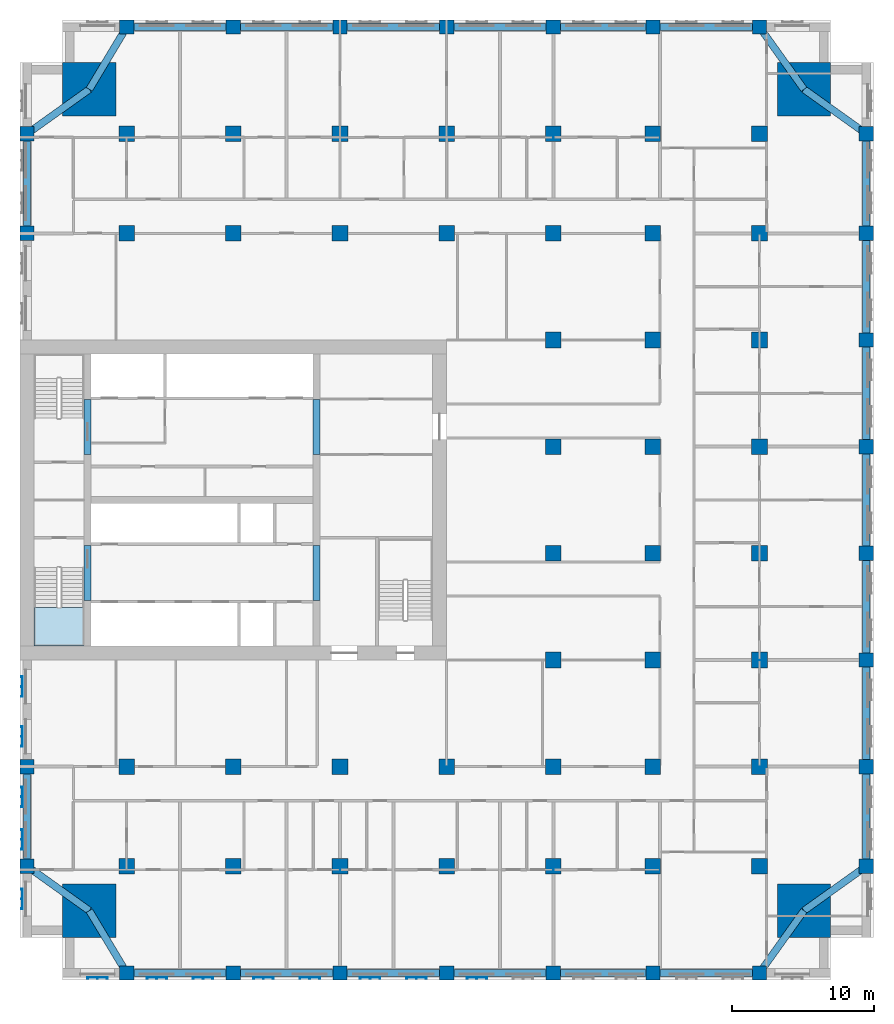
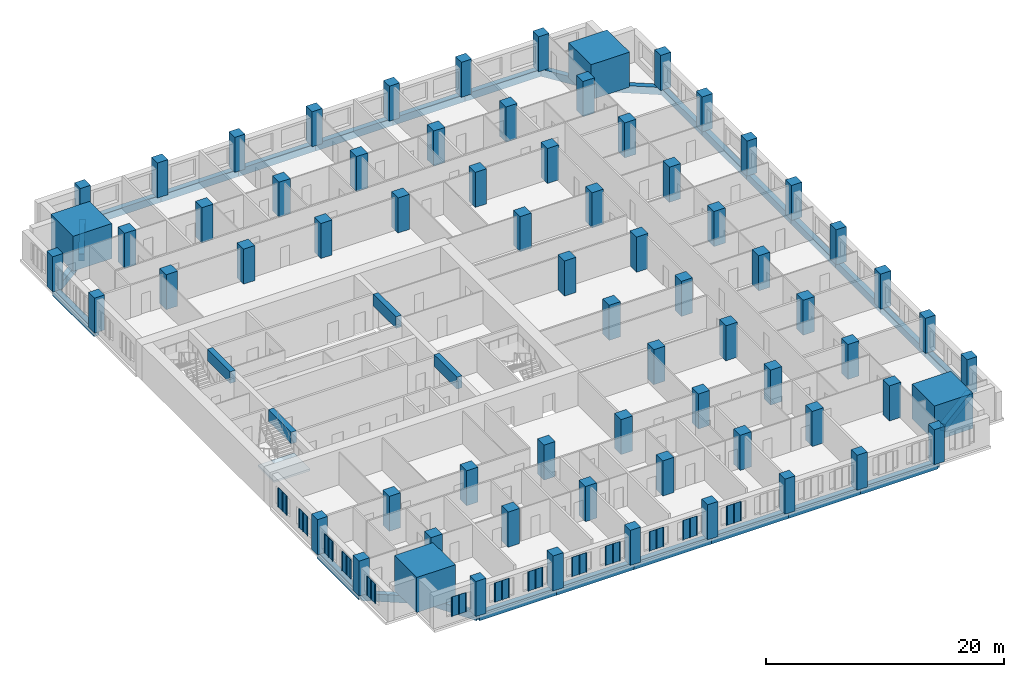
# One storey, part 1 of 14: 70 columns, 33 beams, 13 plates, 1 slab, 1 element without a shape of its own.
"""IFC4 building model written with IfcOpenShell, lengths in metres."""

import ifcopenshell
import ifcopenshell.guid

model = None  # the IFC model being written
_history = None  # IfcOwnerHistory: only IFC2X3 demands one
_inside = {}  # id of a spatial element -> (the spatial element, [elements in it])
_under = {}  # id of a project, library or spatial element -> (it, [spatial elements below it])
_declared = {}  # id of a project -> (the project, [libraries it declares])
_typed = {}  # id of a type object -> (the type object, [elements of that type])
_made_of = {}  # id of a material, layer set ... -> (it, [elements and type objects made of it])


def new_model(schema):
    """Start an empty IFC model of exactly this schema.

    Asked for "IFC4X3", IfcOpenShell would pick the latest addendum, in which some entities
    have other attributes; the version numbers below select the first issue.
    IFC2X3 requires an IfcOwnerHistory on every rooted entity: one is made here for all.
    """
    global model, _history
    if schema == "IFC4X3":
        model = ifcopenshell.file(schema_version=(4, 3, 0, 0))
    else:
        model = ifcopenshell.file(schema=schema)
    _inside.clear()
    _under.clear()
    _declared.clear()
    _typed.clear()
    _made_of.clear()
    _history = None
    if model.schema == "IFC2X3":
        org = make("IfcOrganization", Name="unknown")
        user = make(
            "IfcPersonAndOrganization",
            ThePerson=make("IfcPerson", FamilyName="unknown"),
            TheOrganization=org,
        )
        app = make(
            "IfcApplication",
            ApplicationDeveloper=org,
            Version="unknown",
            ApplicationFullName="unknown",
            ApplicationIdentifier="unknown",
        )
        _history = make(
            "IfcOwnerHistory",
            OwningUser=user,
            OwningApplication=app,
            ChangeAction="ADDED",
            CreationDate=0,
        )
    return model


def make(cls, **values):
    """One entity of the class cls with the attributes given. An attribute that is None is left unset."""
    return model.create_entity(
        cls, **{name: value for name, value in values.items() if value is not None}
    )


def rooted(cls, **values):
    """An entity with a GlobalId (a new one), such as an element, a storey or a relation."""
    return make(cls, GlobalId=ifcopenshell.guid.new(), OwnerHistory=_history, **values)


def si_unit(unit_type, name, prefix=None):
    """IfcSIUnit, for example si_unit("LENGTHUNIT", "METRE", prefix="MILLI")."""
    return make("IfcSIUnit", UnitType=unit_type, Prefix=prefix, Name=name)


def assignment(units):
    """IfcUnitAssignment: the units of a project."""
    return None if units is None else make("IfcUnitAssignment", Units=units)


def point(xyz):
    """IfcCartesianPoint."""
    return None if xyz is None else make("IfcCartesianPoint", Coordinates=xyz)


def direction(xyz):
    """IfcDirection."""
    return None if xyz is None else make("IfcDirection", DirectionRatios=xyz)


def frame(location, z_axis=None, x_axis=None):
    """IfcAxis2Placement3D, a coordinate frame: its origin and axes. An axis left out is left unset."""
    return make(
        "IfcAxis2Placement3D",
        Location=point(location),
        Axis=direction(z_axis),
        RefDirection=direction(x_axis),
    )


def frame_2d(location, x_axis=None):
    """IfcAxis2Placement2D, a coordinate frame in the plane: its origin and x axis."""
    return make(
        "IfcAxis2Placement2D", Location=point(location), RefDirection=direction(x_axis)
    )


def origin():
    """The frame at (0, 0, 0) with its axes left unset."""
    return frame((0.0, 0.0, 0.0))


def origin_2d():
    """The frame at (0, 0) in the plane with its x axis left unset."""
    return frame_2d((0.0, 0.0))


def place(relative_to, where):
    """IfcLocalPlacement: puts the frame where relative to a parent placement (None: the world)."""
    return make(
        "IfcLocalPlacement", PlacementRelTo=relative_to, RelativePlacement=where
    )


def context(
    kind, dimensions, precision=None, world=None, true_north=None, identifier=None
):
    """IfcGeometricRepresentationContext, for example the 3D "Model" context."""
    return make(
        "IfcGeometricRepresentationContext",
        ContextIdentifier=identifier,
        ContextType=kind,
        CoordinateSpaceDimension=dimensions,
        Precision=precision,
        WorldCoordinateSystem=world,
        TrueNorth=true_north,
    )


def subcontext(parent, identifier, kind, view, scale=None):
    """IfcGeometricRepresentationSubContext, for example "Body" below "Model"."""
    return make(
        "IfcGeometricRepresentationSubContext",
        ContextIdentifier=identifier,
        ContextType=kind,
        ParentContext=parent,
        TargetScale=scale,
        TargetView=view,
    )


def project(units=None, contexts=None):
    """IfcProject with its units and contexts."""
    return rooted(
        "IfcProject",
        Name="project",
        RepresentationContexts=contexts,
        UnitsInContext=assignment(units),
    )


def spatial(cls, under=None, at=None, **own):
    """A site, building, storey or space (cls), placed at a placement, below another one or the project."""
    s = rooted(cls, ObjectPlacement=at, **own)
    if under is not None:
        _under.setdefault(under.id(), (under, []))[1].append(s)
    return s


def polyline(points):
    """IfcPolyline through the points."""
    return make("IfcPolyline", Points=[point(p) for p in points])


def profile(cls, at=None, kind="AREA", **sizes):
    """A parametric profile (cls). Its sizes go by their IFC names, for example OverallWidth=200.0."""
    return make(cls, ProfileType=kind, Position=at, **sizes)


def rectangle(**sizes):
    """IfcRectangleProfileDef."""
    return profile("IfcRectangleProfileDef", **sizes)


def outline(outer, holes=None, kind="AREA"):
    """IfcArbitraryClosedProfileDef: a profile drawn as a closed curve; with holes, ...WithVoids."""
    if holes is None:
        return make("IfcArbitraryClosedProfileDef", ProfileType=kind, OuterCurve=outer)
    return make(
        "IfcArbitraryProfileDefWithVoids",
        ProfileType=kind,
        OuterCurve=outer,
        InnerCurves=holes,
    )


def extrude(swept, where, along, depth):
    """IfcExtrudedAreaSolid: the profile swept, set in the frame where, extruded along a direction by depth."""
    return make(
        "IfcExtrudedAreaSolid",
        SweptArea=swept,
        Position=where,
        ExtrudedDirection=direction(along),
        Depth=depth,
    )


def shape(context_of_items, identifier, shape_type, items):
    """IfcShapeRepresentation: the items that make up one representation, for example the "Body"."""
    return make(
        "IfcShapeRepresentation",
        ContextOfItems=context_of_items,
        RepresentationIdentifier=identifier,
        RepresentationType=shape_type,
        Items=items,
    )


def material(Name=None, Category=None):
    """IfcMaterial."""
    return make("IfcMaterial", Name=Name, Category=Category)


def layer(
    of_material, thickness, ventilated=None, Name=None, Category=None, Priority=None
):
    """IfcMaterialLayer: one layer of a wall or slab, of a material (None: an air gap)."""
    return make(
        "IfcMaterialLayer",
        Material=of_material,
        LayerThickness=thickness,
        IsVentilated=ventilated,
        Name=Name,
        Category=Category,
        Priority=Priority,
    )


def layer_set(layers, Name=None):
    """IfcMaterialLayerSet."""
    return make("IfcMaterialLayerSet", MaterialLayers=layers, LayerSetName=Name)


def material_profile(
    of_material, cross_section, Name=None, Category=None, Priority=None
):
    """IfcMaterialProfile: a cross section and its material."""
    return make(
        "IfcMaterialProfile",
        Name=Name,
        Material=of_material,
        Profile=cross_section,
        Priority=Priority,
        Category=Category,
    )


def profile_set(profiles, Name=None, composite=None):
    """IfcMaterialProfileSet."""
    return make(
        "IfcMaterialProfileSet",
        Name=Name,
        MaterialProfiles=profiles,
        CompositeProfile=composite,
    )


def made_of(thing, what):
    """Note that an element or type object is made of a material, layer set ...; save() writes the relation."""
    if what is not None:
        _made_of.setdefault(what.id(), (what, []))[1].append(thing)
    return thing


def type_object(cls, material=None, **own):
    """A type object (cls), such as IfcWallType, which elements share."""
    return made_of(rooted(cls, **own), material)


def element(
    cls,
    number,
    at=None,
    inside=None,
    cuts=None,
    type_object=None,
    material=None,
    context=None,
    identifier="Body",
    shape_type=None,
    held_by="IfcProductDefinitionShape",
    body=None,
    shapes=None,
    **own,
):
    """One element of the class cls, such as IfcWall. Its Tag is "e" and its number.

    at: its placement. inside: the storey or other place that contains it. cuts: it is an
    opening in that element (IfcRelVoidsElement). A single representation is given by context,
    identifier, shape_type and body (its items); several are given by shapes. held_by: the class
    of the entity that holds the representations. save() writes the other relations.
    """
    e = rooted(cls, Tag="e%d" % number, ObjectPlacement=at, **own)
    if body is not None:
        shapes = [shape(context, identifier, shape_type, body)]
    if shapes is not None:
        e.Representation = make(held_by, Representations=shapes)
    if inside is not None:
        _inside.setdefault(inside.id(), (inside, []))[1].append(e)
    if cuts is not None:
        rooted(
            "IfcRelVoidsElement", RelatingBuildingElement=cuts, RelatedOpeningElement=e
        )
    if type_object is not None:
        _typed.setdefault(type_object.id(), (type_object, []))[1].append(e)
    return made_of(e, material)


def aggregate(whole, parts):
    """IfcRelAggregates: a whole, such as a stair, and the parts it consists of."""
    return rooted("IfcRelAggregates", RelatingObject=whole, RelatedObjects=parts)


def save(model, path):
    """Write the relations noted so far, then the file.

    IfcRelAggregates (storeys below a building ...), IfcRelContainedInSpatialStructure (elements
    in a storey), IfcRelDefinesByType, IfcRelAssociatesMaterial and IfcRelDeclares: one each for
    every whole, place, type object, material and project.
    """
    for whole, parts in _under.values():
        aggregate(whole, parts)
    for where, things in _inside.values():
        rooted(
            "IfcRelContainedInSpatialStructure",
            RelatedElements=things,
            RelatingStructure=where,
        )
    for kind, things in _typed.values():
        rooted("IfcRelDefinesByType", RelatedObjects=things, RelatingType=kind)
    for what, things in _made_of.values():
        rooted("IfcRelAssociatesMaterial", RelatedObjects=things, RelatingMaterial=what)
    for by, libraries in _declared.values():
        rooted("IfcRelDeclares", RelatingContext=by, RelatedDefinitions=libraries)
    model.write(path)


model = new_model("IFC4")

# Units and contexts
model_context = context("Model", 3, precision=1e-05, world=origin(), true_north=direction((0.0, 1.0)))
body_context = subcontext(model_context, "Body", "Model", "MODEL_VIEW")
ifc_project = project(units=[si_unit("LENGTHUNIT", "METRE"), si_unit("AREAUNIT", "SQUARE_METRE"), si_unit("VOLUMEUNIT", "CUBIC_METRE"), si_unit("PLANEANGLEUNIT", "RADIAN"), si_unit("MASSUNIT", "GRAM", prefix="KILO")], contexts=[model_context])

# Site, building, storey
site_placement = place(None, origin())
site = spatial("IfcSite", under=ifc_project, at=site_placement, CompositionType="ELEMENT")
building_placement = place(site_placement, origin())
building = spatial("IfcBuilding", under=site, at=building_placement, Name="Tamorin Gate", CompositionType="ELEMENT")
storey_placement = place(building_placement, frame((0.0, 0.0, 89.89990234375)))
storey = spatial("IfcBuildingStorey", under=building, at=storey_placement, Name="L21", CompositionType="ELEMENT", Elevation=89.89990234375)

# Columns
ifc_material_1 = material(Name="Concrete C80/95", Category="concrete")
ifc_material_profile_1 = material_profile(ifc_material_1, rectangle(XDim=1.0, YDim=1.0, at=origin_2d()), Name="RC 1000x1000")
ifc_profile_set_1 = profile_set([ifc_material_profile_1], Name="Concrete C80/95")
column_type_1 = type_object("IfcColumnType", Name="RC column 1000x1000 C80/95", PredefinedType="COLUMN", material=ifc_profile_set_1)
for number, where, z_axis, x_axis, name in (
    (1, (30.5, 45.5, 0.0), (0.0, 0.0, 1.0), (1.0, 0.0, 0.0), "Ring column L21"),
    (2, (30.5, 52.5, 0.0), (0.0, 0.0, 1.0), (1.0, 0.0, 0.0), "Ring column L21"),
    (3, (30.5, 90.0, 0.0), (0.0, 0.0, 1.0), (1.0, 0.0, 0.0), "Ring column L21"),
    (4, (30.5, 97.0, 0.0), (0.0, 0.0, 1.0), (1.0, 0.0, 0.0), "Ring column L21"),
    (5, (37.5, 38.0, 0.0), (0.0, 0.0, 1.0), (1.0, 0.0, 0.0), "Ring column L21"),
    (6, (37.5, 104.5, 0.0), (0.0, 0.0, 1.0), (1.0, 0.0, 0.0), "Ring column L21"),
    (7, (45.0, 38.0, 0.0), (0.0, 0.0, 1.0), (1.0, 0.0, 0.0), "Ring column L21"),
    (8, (45.0, 104.5, 0.0), (0.0, 0.0, 1.0), (1.0, 0.0, 0.0), "Ring column L21"),
    (9, (52.5, 38.0, 0.0), (0.0, 0.0, 1.0), (1.0, 0.0, 0.0), "Ring column L21"),
    (10, (52.5, 104.5, 0.0), (0.0, 0.0, 1.0), (1.0, 0.0, 0.0), "Ring column L21"),
    (11, (60.0, 38.0, 0.0), (0.0, 0.0, 1.0), (1.0, 0.0, 0.0), "Ring column L21"),
    (12, (60.0, 104.5, 0.0), (0.0, 0.0, 1.0), (1.0, 0.0, 0.0), "Ring column L21"),
    (13, (67.5, 38.0, 0.0), (0.0, 0.0, 1.0), (1.0, 0.0, 0.0), "Ring column L21"),
    (14, (67.5, 104.5, 0.0), (0.0, 0.0, 1.0), (1.0, 0.0, 0.0), "Ring column L21"),
    (15, (74.5, 38.0, 0.0), (0.0, 0.0, 1.0), (1.0, 0.0, 0.0), "Ring column L21"),
    (16, (74.5, 104.5, 0.0), (0.0, 0.0, 1.0), (1.0, 0.0, 0.0), "Ring column L21"),
    (17, (82.0, 38.0, 0.0), (0.0, 0.0, 1.0), (1.0, 0.0, 0.0), "Ring column L21"),
    (18, (82.0, 104.5, 0.0), (0.0, 0.0, 1.0), (1.0, 0.0, 0.0), "Ring column L21"),
    (19, (89.5, 45.5, 0.0), (0.0, 0.0, 1.0), (1.0, 0.0, 0.0), "Ring column L21"),
    (20, (89.5, 52.5, 0.0), (0.0, 0.0, 1.0), (1.0, 0.0, 0.0), "Ring column L21"),
    (21, (89.5, 60.0, 0.0), (0.0, 0.0, 1.0), (1.0, 0.0, 0.0), "Ring column L21"),
    (22, (89.5, 67.5, 0.0), (0.0, 0.0, 1.0), (1.0, 0.0, 0.0), "Ring column L21"),
    (23, (89.5, 75.0, 0.0), (0.0, 0.0, 1.0), (1.0, 0.0, 0.0), "Ring column L21"),
    (24, (89.5, 82.5, 0.0), (0.0, 0.0, 1.0), (1.0, 0.0, 0.0), "Ring column L21"),
    (25, (89.5, 90.0, 0.0), (0.0, 0.0, 1.0), (1.0, 0.0, 0.0), "Ring column L21"),
    (26, (89.5, 97.0, 0.0), (0.0, 0.0, 1.0), (1.0, 0.0, 0.0), "Ring column L21"),
):
    element("IfcColumn", number, at=place(storey_placement, frame(where, z_axis=z_axis, x_axis=x_axis)), inside=storey, type_object=column_type_1, Name=name, PredefinedType="COLUMN", context=body_context, shape_type="SweptSolid", body=[
        extrude(rectangle(XDim=1.0, YDim=1.0, at=origin_2d()), origin(), (0.0, 0.0, 1.0), 3.60009765625),
    ])
ifc_material_profile_2 = material_profile(ifc_material_1, rectangle(XDim=1.10009765625, YDim=1.10009765625, at=origin_2d()), Name="RC 1100x1100")
ifc_profile_set_2 = profile_set([ifc_material_profile_2], Name="Concrete C80/95")
column_type_2 = type_object("IfcColumnType", Name="RC column 1100x1100 C80/95", PredefinedType="COLUMN", material=ifc_profile_set_2)
for number, where, z_axis, x_axis, name in (
    (27, (37.5, 45.5, 0.0), (0.0, 0.0, 1.0), (1.0, 0.0, 0.0), "Interior column L21"),
    (28, (37.5, 52.5, 0.0), (0.0, 0.0, 1.0), (1.0, 0.0, 0.0), "Interior column L21"),
    (29, (37.5, 90.0, 0.0), (0.0, 0.0, 1.0), (1.0, 0.0, 0.0), "Interior column L21"),
    (30, (37.5, 97.0, 0.0), (0.0, 0.0, 1.0), (1.0, 0.0, 0.0), "Interior column L21"),
    (31, (45.0, 45.5, 0.0), (0.0, 0.0, 1.0), (1.0, 0.0, 0.0), "Interior column L21"),
    (32, (45.0, 52.5, 0.0), (0.0, 0.0, 1.0), (1.0, 0.0, 0.0), "Interior column L21"),
    (33, (45.0, 90.0, 0.0), (0.0, 0.0, 1.0), (1.0, 0.0, 0.0), "Interior column L21"),
    (34, (45.0, 97.0, 0.0), (0.0, 0.0, 1.0), (1.0, 0.0, 0.0), "Interior column L21"),
    (35, (52.5, 45.5, 0.0), (0.0, 0.0, 1.0), (1.0, 0.0, 0.0), "Interior column L21"),
    (36, (52.5, 52.5, 0.0), (0.0, 0.0, 1.0), (1.0, 0.0, 0.0), "Interior column L21"),
    (37, (52.5, 90.0, 0.0), (0.0, 0.0, 1.0), (1.0, 0.0, 0.0), "Interior column L21"),
    (38, (52.5, 97.0, 0.0), (0.0, 0.0, 1.0), (1.0, 0.0, 0.0), "Interior column L21"),
    (39, (60.0, 45.5, 0.0), (0.0, 0.0, 1.0), (1.0, 0.0, 0.0), "Interior column L21"),
    (40, (60.0, 52.5, 0.0), (0.0, 0.0, 1.0), (1.0, 0.0, 0.0), "Interior column L21"),
    (41, (60.0, 90.0, 0.0), (0.0, 0.0, 1.0), (1.0, 0.0, 0.0), "Interior column L21"),
    (42, (60.0, 97.0, 0.0), (0.0, 0.0, 1.0), (1.0, 0.0, 0.0), "Interior column L21"),
    (43, (67.5, 45.5, 0.0), (0.0, 0.0, 1.0), (1.0, 0.0, 0.0), "Interior column L21"),
    (44, (67.5, 52.5, 0.0), (0.0, 0.0, 1.0), (1.0, 0.0, 0.0), "Interior column L21"),
    (45, (67.5, 60.0, 0.0), (0.0, 0.0, 1.0), (1.0, 0.0, 0.0), "Interior column L21"),
    (46, (67.5, 67.5, 0.0), (0.0, 0.0, 1.0), (1.0, 0.0, 0.0), "Interior column L21"),
    (47, (67.5, 75.0, 0.0), (0.0, 0.0, 1.0), (1.0, 0.0, 0.0), "Interior column L21"),
    (48, (67.5, 82.5, 0.0), (0.0, 0.0, 1.0), (1.0, 0.0, 0.0), "Interior column L21"),
    (49, (67.5, 90.0, 0.0), (0.0, 0.0, 1.0), (1.0, 0.0, 0.0), "Interior column L21"),
    (50, (67.5, 97.0, 0.0), (0.0, 0.0, 1.0), (1.0, 0.0, 0.0), "Interior column L21"),
    (51, (74.5, 45.5, 0.0), (0.0, 0.0, 1.0), (1.0, 0.0, 0.0), "Interior column L21"),
    (52, (74.5, 52.5, 0.0), (0.0, 0.0, 1.0), (1.0, 0.0, 0.0), "Interior column L21"),
    (53, (74.5, 60.0, 0.0), (0.0, 0.0, 1.0), (1.0, 0.0, 0.0), "Interior column L21"),
    (54, (74.5, 67.5, 0.0), (0.0, 0.0, 1.0), (1.0, 0.0, 0.0), "Interior column L21"),
    (55, (74.5, 75.0, 0.0), (0.0, 0.0, 1.0), (1.0, 0.0, 0.0), "Interior column L21"),
    (56, (74.5, 82.5, 0.0), (0.0, 0.0, 1.0), (1.0, 0.0, 0.0), "Interior column L21"),
    (57, (74.5, 90.0, 0.0), (0.0, 0.0, 1.0), (1.0, 0.0, 0.0), "Interior column L21"),
    (58, (74.5, 97.0, 0.0), (0.0, 0.0, 1.0), (1.0, 0.0, 0.0), "Interior column L21"),
    (59, (82.0, 45.5, 0.0), (0.0, 0.0, 1.0), (1.0, 0.0, 0.0), "Interior column L21"),
    (60, (82.0, 52.5, 0.0), (0.0, 0.0, 1.0), (1.0, 0.0, 0.0), "Interior column L21"),
    (61, (82.0, 60.0, 0.0), (0.0, 0.0, 1.0), (1.0, 0.0, 0.0), "Interior column L21"),
    (62, (82.0, 67.5, 0.0), (0.0, 0.0, 1.0), (1.0, 0.0, 0.0), "Interior column L21"),
    (63, (82.0, 75.0, 0.0), (0.0, 0.0, 1.0), (1.0, 0.0, 0.0), "Interior column L21"),
    (64, (82.0, 82.5, 0.0), (0.0, 0.0, 1.0), (1.0, 0.0, 0.0), "Interior column L21"),
    (65, (82.0, 90.0, 0.0), (0.0, 0.0, 1.0), (1.0, 0.0, 0.0), "Interior column L21"),
    (66, (82.0, 97.0, 0.0), (0.0, 0.0, 1.0), (1.0, 0.0, 0.0), "Interior column L21"),
):
    element("IfcColumn", number, at=place(storey_placement, frame(where, z_axis=z_axis, x_axis=x_axis)), inside=storey, type_object=column_type_2, Name=name, PredefinedType="COLUMN", context=body_context, shape_type="SweptSolid", body=[
        extrude(rectangle(XDim=1.10009765625, YDim=1.10009765625, at=origin_2d()), origin(), (0.0, 0.0, 1.0), 3.60009765625),
    ])
ifc_material_profile_3 = material_profile(ifc_material_1, rectangle(XDim=3.75, YDim=3.75, at=origin_2d()), Name="RC 3750x3750")
ifc_profile_set_3 = profile_set([ifc_material_profile_3], Name="Concrete C80/95")
column_type_3 = type_object("IfcColumnType", Name="RC column 3750x3750 C80/95", PredefinedType="COLUMN", material=ifc_profile_set_3)
for number, where, z_axis, x_axis, name in (
    (67, (34.875, 42.375, 0.0), (0.0, 0.0, 1.0), (1.0, 0.0, 0.0), "Mega column SW L21"),
    (68, (85.125, 42.375, 0.0), (0.0, 0.0, 1.0), (1.0, 0.0, 0.0), "Mega column SE L21"),
    (69, (34.875, 100.125, 0.0), (0.0, 0.0, 1.0), (1.0, 0.0, 0.0), "Mega column NW L21"),
    (70, (85.125, 100.125, 0.0), (0.0, 0.0, 1.0), (1.0, 0.0, 0.0), "Mega column NE L21"),
):
    element("IfcColumn", number, at=place(storey_placement, frame(where, z_axis=z_axis, x_axis=x_axis)), inside=storey, type_object=column_type_3, Name=name, PredefinedType="COLUMN", context=body_context, shape_type="SweptSolid", body=[
        extrude(rectangle(XDim=3.75, YDim=3.75, at=origin_2d()), origin(), (0.0, 0.0, 1.0), 3.60009765625),
    ])

# Beams
ifc_material_profile_4 = material_profile(ifc_material_1, rectangle(XDim=0.5, YDim=1.199951171875, at=origin_2d()), Name="RC 500x1200")
ifc_profile_set_4 = profile_set([ifc_material_profile_4], Name="Concrete C80/95")
beam_type_1 = type_object("IfcBeamType", Name="RC coupling beam 500x1200 C80/95", PredefinedType="BEAM", material=ifc_profile_set_4)
for number, where, z_axis, x_axis, name in (
    (71, (34.75, 64.199951171875, 3.0), (0.0, 1.0, 0.0), (-1.0, 0.0, 0.0), "Coupling beam L21"),
    (72, (34.75, 74.449951171875, 3.0), (0.0, 1.0, 0.0), (-1.0, 0.0, 0.0), "Coupling beam L21"),
    (73, (50.85009765625, 64.199951171875, 3.0), (0.0, 1.0, 0.0), (-1.0, 0.0, 0.0), "Coupling beam L21"),
    (74, (50.85009765625, 74.449951171875, 3.0), (0.0, 1.0, 0.0), (-1.0, 0.0, 0.0), "Coupling beam L21"),
):
    element("IfcBeam", number, at=place(storey_placement, frame(where, z_axis=z_axis, x_axis=x_axis)), inside=storey, type_object=beam_type_1, Name=name, PredefinedType="BEAM", context=body_context, shape_type="SweptSolid", body=[
        extrude(rectangle(XDim=0.5, YDim=1.199951171875, at=origin_2d()), origin(), (0.0, 0.0, 1.0), 3.85009765625),
    ])
ifc_material_2 = material(Name="Concrete C50/60", Category="concrete")
ifc_material_profile_5 = material_profile(ifc_material_2, rectangle(XDim=0.5, YDim=0.75, at=origin_2d()), Name="RC 500x750")
ifc_profile_set_5 = profile_set([ifc_material_profile_5], Name="Concrete C50/60")
beam_type_2 = type_object("IfcBeamType", Name="RC spandrel 500x750 C50/60", PredefinedType="BEAM", material=ifc_profile_set_5)
for number, where, z_axis, x_axis, name in (
    (75, (37.5, 38.0, -0.375), (1.0, 0.0, 0.0), (0.0, 1.0, 0.0), "Spandrel beam L21"),
    (76, (45.0, 38.0, -0.375), (1.0, 0.0, 0.0), (0.0, 1.0, 0.0), "Spandrel beam L21"),
    (77, (52.5, 38.0, -0.375), (1.0, 0.0, 0.0), (0.0, 1.0, 0.0), "Spandrel beam L21"),
    (78, (60.0, 38.0, -0.375), (1.0, 0.0, 0.0), (0.0, 1.0, 0.0), "Spandrel beam L21"),
):
    element("IfcBeam", number, at=place(storey_placement, frame(where, z_axis=z_axis, x_axis=x_axis)), inside=storey, type_object=beam_type_2, Name=name, PredefinedType="BEAM", context=body_context, shape_type="SweptSolid", body=[
        extrude(rectangle(XDim=0.5, YDim=0.75, at=origin_2d()), origin(), (0.0, 0.0, 1.0), 7.5),
    ])
beam_1_placement = place(storey_placement, frame((67.5, 38.0, -0.375), z_axis=(1.0, 0.0, 0.0), x_axis=(0.0, 1.0, 0.0)))
element("IfcBeam", 79, at=beam_1_placement, inside=storey, type_object=beam_type_2, Name="Spandrel beam L21", PredefinedType="BEAM", context=body_context, shape_type="SweptSolid", body=[
    extrude(rectangle(XDim=0.5, YDim=0.75, at=origin_2d()), origin(), (0.0, 0.0, 1.0), 7.0),
])
beam_2_placement = place(storey_placement, frame((74.5, 38.0, -0.375), z_axis=(1.0, 0.0, 0.0), x_axis=(0.0, 1.0, 0.0)))
element("IfcBeam", 80, at=beam_2_placement, inside=storey, type_object=beam_type_2, Name="Spandrel beam L21", PredefinedType="BEAM", context=body_context, shape_type="SweptSolid", body=[
    extrude(rectangle(XDim=0.5, YDim=0.75, at=origin_2d()), origin(), (0.0, 0.0, 1.0), 7.5),
])
beam_3_placement = place(storey_placement, frame((89.5, 45.5, -0.375), z_axis=(0.0, 1.0, 0.0), x_axis=(-1.0, 0.0, 0.0)))
element("IfcBeam", 81, at=beam_3_placement, inside=storey, type_object=beam_type_2, Name="Spandrel beam L21", PredefinedType="BEAM", context=body_context, shape_type="SweptSolid", body=[
    extrude(rectangle(XDim=0.5, YDim=0.75, at=origin_2d()), origin(), (0.0, 0.0, 1.0), 7.0),
])
for number, where, z_axis, x_axis, name in (
    (82, (89.5, 52.5, -0.375), (0.0, 1.0, 0.0), (-1.0, 0.0, 0.0), "Spandrel beam L21"),
    (83, (89.5, 60.0, -0.375), (0.0, 1.0, 0.0), (-1.0, 0.0, 0.0), "Spandrel beam L21"),
    (84, (89.5, 67.5, -0.375), (0.0, 1.0, 0.0), (-1.0, 0.0, 0.0), "Spandrel beam L21"),
    (85, (89.5, 75.0, -0.375), (0.0, 1.0, 0.0), (-1.0, 0.0, 0.0), "Spandrel beam L21"),
    (86, (89.5, 82.5, -0.375), (0.0, 1.0, 0.0), (-1.0, 0.0, 0.0), "Spandrel beam L21"),
):
    element("IfcBeam", number, at=place(storey_placement, frame(where, z_axis=z_axis, x_axis=x_axis)), inside=storey, type_object=beam_type_2, Name=name, PredefinedType="BEAM", context=body_context, shape_type="SweptSolid", body=[
        extrude(rectangle(XDim=0.5, YDim=0.75, at=origin_2d()), origin(), (0.0, 0.0, 1.0), 7.5),
    ])
beam_4_placement = place(storey_placement, frame((89.5, 90.0, -0.375), z_axis=(0.0, 1.0, 0.0), x_axis=(-1.0, 0.0, 0.0)))
element("IfcBeam", 87, at=beam_4_placement, inside=storey, type_object=beam_type_2, Name="Spandrel beam L21", PredefinedType="BEAM", context=body_context, shape_type="SweptSolid", body=[
    extrude(rectangle(XDim=0.5, YDim=0.75, at=origin_2d()), origin(), (0.0, 0.0, 1.0), 7.0),
])
beam_5_placement = place(storey_placement, frame((82.0, 104.5, -0.375), z_axis=(-1.0, 0.0, 0.0), x_axis=(0.0, -1.0, 0.0)))
element("IfcBeam", 88, at=beam_5_placement, inside=storey, type_object=beam_type_2, Name="Spandrel beam L21", PredefinedType="BEAM", context=body_context, shape_type="SweptSolid", body=[
    extrude(rectangle(XDim=0.5, YDim=0.75, at=origin_2d()), origin(), (0.0, 0.0, 1.0), 7.5),
])
beam_6_placement = place(storey_placement, frame((74.5, 104.5, -0.375), z_axis=(-1.0, 0.0, 0.0), x_axis=(0.0, -1.0, 0.0)))
element("IfcBeam", 89, at=beam_6_placement, inside=storey, type_object=beam_type_2, Name="Spandrel beam L21", PredefinedType="BEAM", context=body_context, shape_type="SweptSolid", body=[
    extrude(rectangle(XDim=0.5, YDim=0.75, at=origin_2d()), origin(), (0.0, 0.0, 1.0), 7.0),
])
for number, where, z_axis, x_axis, name in (
    (90, (67.5, 104.5, -0.375), (-1.0, 0.0, 0.0), (0.0, -1.0, 0.0), "Spandrel beam L21"),
    (91, (60.0, 104.5, -0.375), (-1.0, 0.0, 0.0), (0.0, -1.0, 0.0), "Spandrel beam L21"),
    (92, (52.5, 104.5, -0.375), (-1.0, 0.0, 0.0), (0.0, -1.0, 0.0), "Spandrel beam L21"),
    (93, (45.0, 104.5, -0.375), (-1.0, 0.0, 0.0), (0.0, -1.0, 0.0), "Spandrel beam L21"),
):
    element("IfcBeam", number, at=place(storey_placement, frame(where, z_axis=z_axis, x_axis=x_axis)), inside=storey, type_object=beam_type_2, Name=name, PredefinedType="BEAM", context=body_context, shape_type="SweptSolid", body=[
        extrude(rectangle(XDim=0.5, YDim=0.75, at=origin_2d()), origin(), (0.0, 0.0, 1.0), 7.5),
    ])
for number, where, z_axis, x_axis, name in (
    (94, (30.5, 97.0, -0.375), (0.0, -1.0, 0.0), (1.0, 0.0, 0.0), "Spandrel beam L21"),
    (95, (30.5, 52.5, -0.375), (0.0, -1.0, 0.0), (1.0, 0.0, 0.0), "Spandrel beam L21"),
):
    element("IfcBeam", number, at=place(storey_placement, frame(where, z_axis=z_axis, x_axis=x_axis)), inside=storey, type_object=beam_type_2, Name=name, PredefinedType="BEAM", context=body_context, shape_type="SweptSolid", body=[
        extrude(rectangle(XDim=0.5, YDim=0.75, at=origin_2d()), origin(), (0.0, 0.0, 1.0), 7.0),
    ])
beam_7_placement = place(storey_placement, frame((34.875, 42.375, -0.375), z_axis=(0.514495755428, -0.857492925713, 0.0), x_axis=(0.857492925713, 0.514495755428, 0.0)))
element("IfcBeam", 96, at=beam_7_placement, inside=storey, type_object=beam_type_2, Name="Corner tie beam L21", PredefinedType="BEAM", context=body_context, shape_type="SweptSolid", body=[
    extrude(rectangle(XDim=0.5, YDim=0.75, at=origin_2d()), origin(), (0.0, 0.0, 1.0), 5.10205078125),
])
for number, where, z_axis, x_axis, name in (
    (97, (34.875, 42.375, -0.375), (-0.813733471207, 0.581238193719, 0.0), (-0.581238193719, -0.813733471207, 0.0), "Corner tie beam L21"),
    (98, (85.125, 42.375, -0.375), (-0.581238193719, -0.813733471207, 0.0), (0.813733471207, -0.581238193719, 0.0), "Corner tie beam L21"),
    (99, (85.125, 42.375, -0.375), (0.813733471207, 0.581238193719, 0.0), (-0.581238193719, 0.813733471207, 0.0), "Corner tie beam L21"),
):
    element("IfcBeam", number, at=place(storey_placement, frame(where, z_axis=z_axis, x_axis=x_axis)), inside=storey, type_object=beam_type_2, Name=name, PredefinedType="BEAM", context=body_context, shape_type="SweptSolid", body=[
        extrude(rectangle(XDim=0.5, YDim=0.75, at=origin_2d()), origin(), (0.0, 0.0, 1.0), 5.37646484375),
    ])
beam_8_placement = place(storey_placement, frame((34.875, 100.125, -0.375), z_axis=(0.514495755428, 0.857492925713, 0.0), x_axis=(-0.857492925713, 0.514495755428, 0.0)))
element("IfcBeam", 100, at=beam_8_placement, inside=storey, type_object=beam_type_2, Name="Corner tie beam L21", PredefinedType="BEAM", context=body_context, shape_type="SweptSolid", body=[
    extrude(rectangle(XDim=0.5, YDim=0.75, at=origin_2d()), origin(), (0.0, 0.0, 1.0), 5.10205078125),
])
for number, where, z_axis, x_axis, name in (
    (101, (34.875, 100.125, -0.375), (-0.813733471207, -0.581238193719, 0.0), (0.581238193719, -0.813733471207, 0.0), "Corner tie beam L21"),
    (102, (85.125, 100.125, -0.375), (-0.581238193719, 0.813733471207, 0.0), (-0.813733471207, -0.581238193719, 0.0), "Corner tie beam L21"),
    (103, (85.125, 100.125, -0.375), (0.813733471207, -0.581238193719, 0.0), (0.581238193719, 0.813733471207, 0.0), "Corner tie beam L21"),
):
    element("IfcBeam", number, at=place(storey_placement, frame(where, z_axis=z_axis, x_axis=x_axis)), inside=storey, type_object=beam_type_2, Name=name, PredefinedType="BEAM", context=body_context, shape_type="SweptSolid", body=[
        extrude(rectangle(XDim=0.5, YDim=0.75, at=origin_2d()), origin(), (0.0, 0.0, 1.0), 5.37646484375),
    ])

# Stair, slab
ifc_material_3 = material(Name="Concrete C40/50", Category="concrete")
stair_type = type_object("IfcStairType", Name="Exit stair", PredefinedType="HALF_TURN_STAIR", material=ifc_material_3)
stair_placement = place(storey_placement, origin())
stair = element("IfcStair", 104, at=stair_placement, inside=storey, type_object=stair_type, Name="L21 stair ST1", PredefinedType="HALF_TURN_STAIR")
ifc_layer_1 = layer(ifc_material_3, 0.199951171875)
ifc_layer_set_1 = layer_set([ifc_layer_1], Name="Exit stair landing 200")
slab_type = type_object("IfcSlabType", Name="Exit stair landing 200", PredefinedType="LANDING", material=ifc_layer_set_1)
slab_placement = place(storey_placement, frame((0.0, 0.0, 1.60009765625)))
slab = element("IfcSlab", 105, at=slab_placement, type_object=slab_type, Name="ST1 landing 1", PredefinedType="LANDING", context=body_context, shape_type="SweptSolid", body=[
    extrude(outline(polyline([(31.0, 63.699951171875), (31.0, 61.0), (34.5, 61.0), (34.5, 63.699951171875), (31.0, 63.699951171875)])), origin(), (0.0, 0.0, 1.0), 0.199951171875),
])
aggregate(stair, [slab])

# Plates
ifc_material_4 = material(Name="Perforated pale aluminium sheet", Category="aluminium")
ifc_layer_2 = layer(ifc_material_4, 0.0400390625)
ifc_layer_set_2 = layer_set([ifc_layer_2], Name="Pale metal solar screen 1440")
plate_type = type_object("IfcPlateType", Name="Pale metal solar screen 1440", PredefinedType="SHEET", material=ifc_layer_set_2)
plate_1_placement = place(storey_placement, frame((0.0, 0.0, 0.710205078125)))
element("IfcPlate", 106, at=plate_1_placement, inside=storey, type_object=plate_type, Name="Perforated solar screen", PredefinedType="SHEET", context=body_context, shape_type="SweptSolid", body=[
    extrude(outline(polyline([(34.72998046875, 37.659912109375), (34.72998046875, 37.699951171875), (34.7900390625, 37.699951171875), (35.419921875, 37.699951171875), (35.47998046875, 37.699951171875), (36.110107421875, 37.699951171875), (36.169921875, 37.699951171875), (36.169921875, 37.659912109375), (36.169921875, 37.60009765625), (36.110107421875, 37.60009765625), (36.110107421875, 37.659912109375), (35.47998046875, 37.659912109375), (35.47998046875, 37.60009765625), (35.419921875, 37.60009765625), (35.419921875, 37.659912109375), (34.7900390625, 37.659912109375), (34.7900390625, 37.60009765625), (34.72998046875, 37.60009765625), (34.72998046875, 37.659912109375)])), origin(), (0.0, 0.0, 1.0), 1.97998046875),
])
plate_2_placement = place(storey_placement, frame((0.0, 0.0, 0.710205078125)))
element("IfcPlate", 107, at=plate_2_placement, inside=storey, type_object=plate_type, Name="Perforated solar screen", PredefinedType="SHEET", context=body_context, shape_type="SweptSolid", body=[
    extrude(outline(polyline([(38.905029296875, 37.659912109375), (38.905029296875, 37.699951171875), (38.965087890625, 37.699951171875), (39.594970703125, 37.699951171875), (39.655029296875, 37.699951171875), (40.284912109375, 37.699951171875), (40.344970703125, 37.699951171875), (40.344970703125, 37.699951171875), (40.344970703125, 37.659912109375), (40.344970703125, 37.659912109375), (40.344970703125, 37.60009765625), (40.284912109375, 37.60009765625), (40.284912109375, 37.659912109375), (39.655029296875, 37.659912109375), (39.655029296875, 37.60009765625), (39.594970703125, 37.60009765625), (39.594970703125, 37.659912109375), (38.965087890625, 37.659912109375), (38.965087890625, 37.60009765625), (38.905029296875, 37.60009765625), (38.905029296875, 37.659912109375)])), origin(), (0.0, 0.0, 1.0), 1.97998046875),
])
plate_3_placement = place(storey_placement, frame((0.0, 0.0, 0.710205078125)))
element("IfcPlate", 108, at=plate_3_placement, inside=storey, type_object=plate_type, Name="Perforated solar screen", PredefinedType="SHEET", context=body_context, shape_type="SweptSolid", body=[
    extrude(outline(polyline([(42.155029296875, 37.659912109375), (42.155029296875, 37.699951171875), (42.215087890625, 37.699951171875), (42.844970703125, 37.699951171875), (42.905029296875, 37.699951171875), (43.534912109375, 37.699951171875), (43.594970703125, 37.699951171875), (43.594970703125, 37.659912109375), (43.594970703125, 37.60009765625), (43.534912109375, 37.60009765625), (43.534912109375, 37.659912109375), (42.905029296875, 37.659912109375), (42.905029296875, 37.60009765625), (42.844970703125, 37.60009765625), (42.844970703125, 37.659912109375), (42.215087890625, 37.659912109375), (42.215087890625, 37.60009765625), (42.155029296875, 37.60009765625), (42.155029296875, 37.659912109375)])), origin(), (0.0, 0.0, 1.0), 1.97998046875),
])
plate_4_placement = place(storey_placement, frame((0.0, 0.0, 0.710205078125)))
element("IfcPlate", 109, at=plate_4_placement, inside=storey, type_object=plate_type, Name="Perforated solar screen", PredefinedType="SHEET", context=body_context, shape_type="SweptSolid", body=[
    extrude(outline(polyline([(46.405029296875, 37.659912109375), (46.405029296875, 37.699951171875), (46.465087890625, 37.699951171875), (47.094970703125, 37.699951171875), (47.155029296875, 37.699951171875), (47.784912109375, 37.699951171875), (47.844970703125, 37.699951171875), (47.844970703125, 37.659912109375), (47.844970703125, 37.60009765625), (47.784912109375, 37.60009765625), (47.784912109375, 37.659912109375), (47.155029296875, 37.659912109375), (47.155029296875, 37.60009765625), (47.094970703125, 37.60009765625), (47.094970703125, 37.659912109375), (46.465087890625, 37.659912109375), (46.465087890625, 37.60009765625), (46.405029296875, 37.60009765625), (46.405029296875, 37.659912109375)])), origin(), (0.0, 0.0, 1.0), 1.97998046875),
])
plate_5_placement = place(storey_placement, frame((0.0, 0.0, 0.710205078125)))
element("IfcPlate", 110, at=plate_5_placement, inside=storey, type_object=plate_type, Name="Perforated solar screen", PredefinedType="SHEET", context=body_context, shape_type="SweptSolid", body=[
    extrude(outline(polyline([(49.655029296875, 37.659912109375), (49.655029296875, 37.699951171875), (49.715087890625, 37.699951171875), (50.344970703125, 37.699951171875), (50.405029296875, 37.699951171875), (51.034912109375, 37.699951171875), (51.094970703125, 37.699951171875), (51.094970703125, 37.659912109375), (51.094970703125, 37.60009765625), (51.034912109375, 37.60009765625), (51.034912109375, 37.659912109375), (50.405029296875, 37.659912109375), (50.405029296875, 37.60009765625), (50.344970703125, 37.60009765625), (50.344970703125, 37.659912109375), (49.715087890625, 37.659912109375), (49.715087890625, 37.60009765625), (49.655029296875, 37.60009765625), (49.655029296875, 37.659912109375)])), origin(), (0.0, 0.0, 1.0), 1.97998046875),
])
plate_6_placement = place(storey_placement, frame((0.0, 0.0, 0.710205078125)))
element("IfcPlate", 111, at=plate_6_placement, inside=storey, type_object=plate_type, Name="Perforated solar screen", PredefinedType="SHEET", context=body_context, shape_type="SweptSolid", body=[
    extrude(outline(polyline([(53.905029296875, 37.659912109375), (53.905029296875, 37.699951171875), (53.965087890625, 37.699951171875), (54.594970703125, 37.699951171875), (54.655029296875, 37.699951171875), (55.284912109375, 37.699951171875), (55.344970703125, 37.699951171875), (55.344970703125, 37.659912109375), (55.344970703125, 37.60009765625), (55.284912109375, 37.60009765625), (55.284912109375, 37.659912109375), (54.655029296875, 37.659912109375), (54.655029296875, 37.60009765625), (54.594970703125, 37.60009765625), (54.594970703125, 37.659912109375), (53.965087890625, 37.659912109375), (53.965087890625, 37.60009765625), (53.905029296875, 37.60009765625), (53.905029296875, 37.659912109375)])), origin(), (0.0, 0.0, 1.0), 1.97998046875),
])
plate_7_placement = place(storey_placement, frame((0.0, 0.0, 0.710205078125)))
element("IfcPlate", 112, at=plate_7_placement, inside=storey, type_object=plate_type, Name="Perforated solar screen", PredefinedType="SHEET", context=body_context, shape_type="SweptSolid", body=[
    extrude(outline(polyline([(57.155029296875, 37.659912109375), (57.155029296875, 37.699951171875), (57.215087890625, 37.699951171875), (57.844970703125, 37.699951171875), (57.905029296875, 37.699951171875), (58.534912109375, 37.699951171875), (58.594970703125, 37.699951171875), (58.594970703125, 37.659912109375), (58.594970703125, 37.60009765625), (58.534912109375, 37.60009765625), (58.534912109375, 37.659912109375), (57.905029296875, 37.659912109375), (57.905029296875, 37.60009765625), (57.844970703125, 37.60009765625), (57.844970703125, 37.659912109375), (57.215087890625, 37.659912109375), (57.215087890625, 37.60009765625), (57.155029296875, 37.60009765625), (57.155029296875, 37.659912109375)])), origin(), (0.0, 0.0, 1.0), 1.97998046875),
])
plate_8_placement = place(storey_placement, frame((0.0, 0.0, 0.710205078125)))
element("IfcPlate", 113, at=plate_8_placement, inside=storey, type_object=plate_type, Name="Perforated solar screen", PredefinedType="SHEET", context=body_context, shape_type="SweptSolid", body=[
    extrude(outline(polyline([(61.405029296875, 37.659912109375), (61.405029296875, 37.699951171875), (61.465087890625, 37.699951171875), (62.094970703125, 37.699951171875), (62.155029296875, 37.699951171875), (62.784912109375, 37.699951171875), (62.844970703125, 37.699951171875), (62.844970703125, 37.659912109375), (62.844970703125, 37.60009765625), (62.784912109375, 37.60009765625), (62.784912109375, 37.659912109375), (62.155029296875, 37.659912109375), (62.155029296875, 37.60009765625), (62.094970703125, 37.60009765625), (62.094970703125, 37.659912109375), (61.465087890625, 37.659912109375), (61.465087890625, 37.60009765625), (61.405029296875, 37.60009765625), (61.405029296875, 37.659912109375)])), origin(), (0.0, 0.0, 1.0), 1.97998046875),
])
plate_9_placement = place(storey_placement, frame((0.0, 0.0, 0.710205078125)))
element("IfcPlate", 114, at=plate_9_placement, inside=storey, type_object=plate_type, Name="Perforated solar screen", PredefinedType="SHEET", context=body_context, shape_type="SweptSolid", body=[
    extrude(outline(polyline([(30.159912109375, 55.344970703125), (30.199951171875, 55.344970703125), (30.199951171875, 55.284912109375), (30.199951171875, 54.655029296875), (30.199951171875, 54.594970703125), (30.199951171875, 53.965087890625), (30.199951171875, 53.905029296875), (30.159912109375, 53.905029296875), (30.10009765625, 53.905029296875), (30.10009765625, 53.965087890625), (30.159912109375, 53.965087890625), (30.159912109375, 54.594970703125), (30.10009765625, 54.594970703125), (30.10009765625, 54.655029296875), (30.159912109375, 54.655029296875), (30.159912109375, 55.284912109375), (30.10009765625, 55.284912109375), (30.10009765625, 55.344970703125), (30.159912109375, 55.344970703125)])), origin(), (0.0, 0.0, 1.0), 1.97998046875),
])
plate_10_placement = place(storey_placement, frame((0.0, 0.0, 0.710205078125)))
element("IfcPlate", 115, at=plate_10_placement, inside=storey, type_object=plate_type, Name="Perforated solar screen", PredefinedType="SHEET", context=body_context, shape_type="SweptSolid", body=[
    extrude(outline(polyline([(30.159912109375, 58.844970703125), (30.199951171875, 58.844970703125), (30.199951171875, 58.784912109375), (30.199951171875, 58.155029296875), (30.199951171875, 58.094970703125), (30.199951171875, 57.465087890625), (30.199951171875, 57.405029296875), (30.159912109375, 57.405029296875), (30.10009765625, 57.405029296875), (30.10009765625, 57.465087890625), (30.159912109375, 57.465087890625), (30.159912109375, 58.094970703125), (30.10009765625, 58.094970703125), (30.10009765625, 58.155029296875), (30.159912109375, 58.155029296875), (30.159912109375, 58.784912109375), (30.10009765625, 58.784912109375), (30.10009765625, 58.844970703125), (30.159912109375, 58.844970703125)])), origin(), (0.0, 0.0, 1.0), 1.97998046875),
])
plate_11_placement = place(storey_placement, frame((0.0, 0.0, 0.710205078125)))
element("IfcPlate", 116, at=plate_11_placement, inside=storey, type_object=plate_type, Name="Perforated solar screen", PredefinedType="SHEET", context=body_context, shape_type="SweptSolid", body=[
    extrude(outline(polyline([(30.159912109375, 48.094970703125), (30.199951171875, 48.094970703125), (30.199951171875, 48.034912109375), (30.199951171875, 47.405029296875), (30.199951171875, 47.344970703125), (30.199951171875, 46.715087890625), (30.199951171875, 46.655029296875), (30.159912109375, 46.655029296875), (30.10009765625, 46.655029296875), (30.10009765625, 46.715087890625), (30.159912109375, 46.715087890625), (30.159912109375, 47.344970703125), (30.10009765625, 47.344970703125), (30.10009765625, 47.405029296875), (30.159912109375, 47.405029296875), (30.159912109375, 48.034912109375), (30.10009765625, 48.034912109375), (30.10009765625, 48.094970703125), (30.159912109375, 48.094970703125)])), origin(), (0.0, 0.0, 1.0), 1.97998046875),
])
plate_12_placement = place(storey_placement, frame((0.0, 0.0, 0.710205078125)))
element("IfcPlate", 117, at=plate_12_placement, inside=storey, type_object=plate_type, Name="Perforated solar screen", PredefinedType="SHEET", context=body_context, shape_type="SweptSolid", body=[
    extrude(outline(polyline([(30.159912109375, 51.094970703125), (30.199951171875, 51.094970703125), (30.199951171875, 51.034912109375), (30.199951171875, 50.405029296875), (30.199951171875, 50.344970703125), (30.199951171875, 49.715087890625), (30.199951171875, 49.655029296875), (30.159912109375, 49.655029296875), (30.10009765625, 49.655029296875), (30.10009765625, 49.715087890625), (30.159912109375, 49.715087890625), (30.159912109375, 50.344970703125), (30.10009765625, 50.344970703125), (30.10009765625, 50.405029296875), (30.159912109375, 50.405029296875), (30.159912109375, 51.034912109375), (30.10009765625, 51.034912109375), (30.10009765625, 51.094970703125), (30.159912109375, 51.094970703125)])), origin(), (0.0, 0.0, 1.0), 1.97998046875),
])
plate_13_placement = place(storey_placement, frame((0.0, 0.0, 0.710205078125)))
element("IfcPlate", 118, at=plate_13_placement, inside=storey, type_object=plate_type, Name="Perforated solar screen", PredefinedType="SHEET", context=body_context, shape_type="SweptSolid", body=[
    extrude(outline(polyline([(30.159912109375, 43.919921875), (30.199951171875, 43.919921875), (30.199951171875, 43.860107421875), (30.199951171875, 43.22998046875), (30.199951171875, 43.169921875), (30.199951171875, 42.5400390625), (30.199951171875, 42.47998046875), (30.159912109375, 42.47998046875), (30.10009765625, 42.47998046875), (30.10009765625, 42.5400390625), (30.159912109375, 42.5400390625), (30.159912109375, 43.169921875), (30.10009765625, 43.169921875), (30.10009765625, 43.22998046875), (30.159912109375, 43.22998046875), (30.159912109375, 43.860107421875), (30.10009765625, 43.860107421875), (30.10009765625, 43.919921875), (30.159912109375, 43.919921875)])), origin(), (0.0, 0.0, 1.0), 1.97998046875),
])

save(model, "model.ifc")
